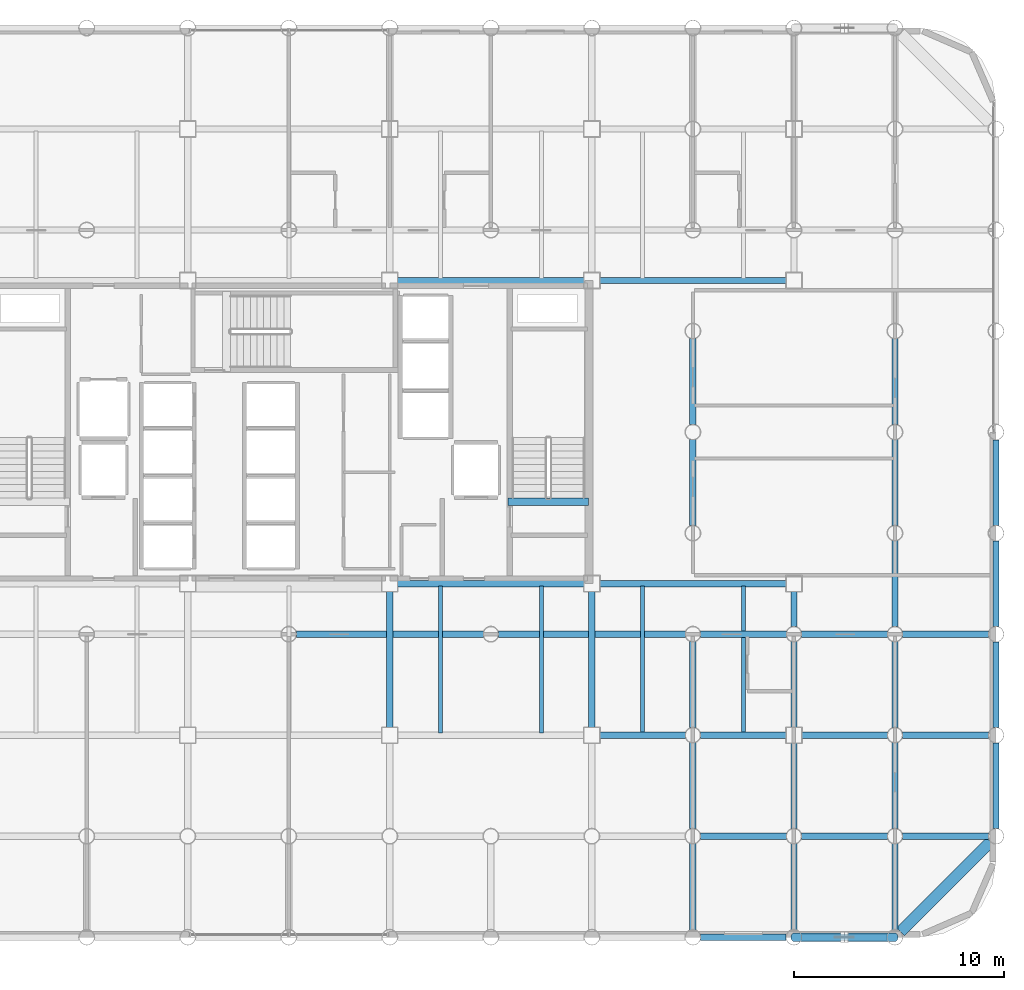
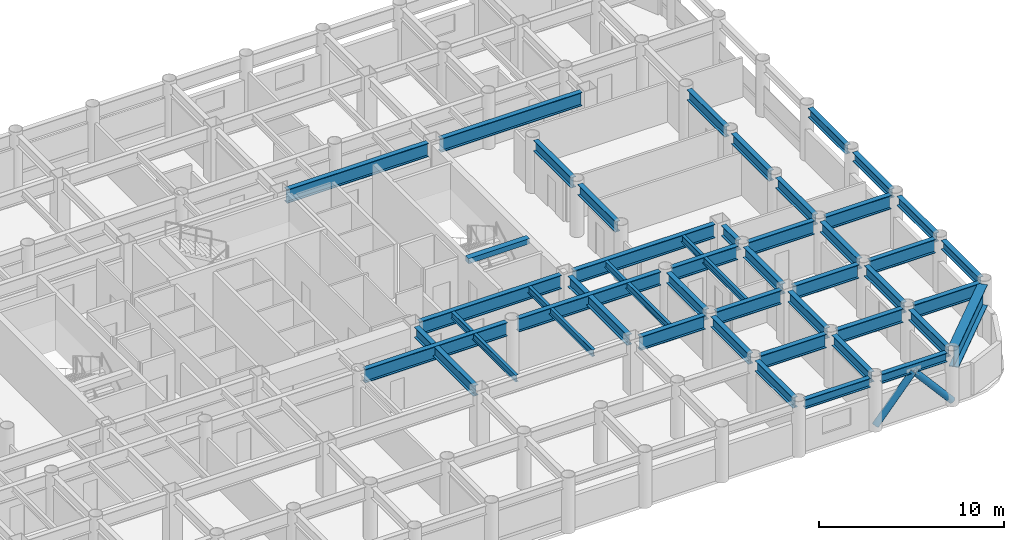
# One storey, part 7 of 19: 45 beams, 2 members.
"""IFC4 building model written with IfcOpenShell, lengths in metres."""

from ifc_helpers import new_model, si_unit, direction, frame, origin, origin_2d, place, context, subcontext, project, spatial, rectangle, hollow_circle, i_section, extrude, material, material_profile, profile_set, type_object, element, save


model = new_model("IFC4")

# Units and contexts
model_context = context("Model", 3, precision=1e-05, world=origin(), true_north=direction((0.0, 1.0)))
body_context = subcontext(model_context, "Body", "Model", "MODEL_VIEW")
ifc_project = project(units=[si_unit("LENGTHUNIT", "METRE"), si_unit("AREAUNIT", "SQUARE_METRE"), si_unit("VOLUMEUNIT", "CUBIC_METRE"), si_unit("PLANEANGLEUNIT", "RADIAN"), si_unit("MASSUNIT", "GRAM", prefix="KILO")], contexts=[model_context])

# Site, building, storey
site_placement = place(None, origin())
site = spatial("IfcSite", under=ifc_project, at=site_placement, CompositionType="ELEMENT")
building_placement = place(site_placement, origin())
building = spatial("IfcBuilding", under=site, at=building_placement, Name="Kallvorn Hotel Tower", CompositionType="ELEMENT")
storey_placement = place(building_placement, frame((0.0, 0.0, 63.300048828125)))
storey = spatial("IfcBuildingStorey", under=building, at=storey_placement, Name="L14", CompositionType="ELEMENT", Elevation=63.300048828125)

# Beams
ifc_material_1 = material(Name="Structural steel S355JR", Category="steel")
ifc_material_profile_1 = material_profile(ifc_material_1, i_section(OverallWidth=0.300048828125, OverallDepth=0.60009765625, WebThickness=0.015380859375, FlangeThickness=0.030029296875, at=origin_2d()), Name="HE 600 B")
ifc_profile_set_1 = profile_set([ifc_material_profile_1], Name="Structural steel S355JR")
beam_type_1 = type_object("IfcBeamType", Name="BM_HE600B", PredefinedType="SPANDREL", material=ifc_profile_set_1)
for number, where, z_axis, x_axis, name in (
    (1, (19.571044921875, -24.0, 3.219970703125), (1.0, 0.0, 0.0), (0.0, 1.0, 0.0), "L15 Perimeter Spandrel 160"),
    (2, (24.37109375, -24.0, 3.219970703125), (1.0, 0.0, 0.0), (0.0, 1.0, 0.0), "L15 Perimeter Spandrel 161"),
):
    element("IfcBeam", number, at=place(storey_placement, frame(where, z_axis=z_axis, x_axis=x_axis)), inside=storey, type_object=beam_type_1, Name=name, PredefinedType="SPANDREL", context=body_context, shape_type="SweptSolid", body=[
        extrude(i_section(OverallWidth=0.300048828125, OverallDepth=0.60009765625, WebThickness=0.015380859375, FlangeThickness=0.030029296875, at=origin_2d()), origin(), (0.0, 0.0, 1.0), 4.057861328125),
    ])
for number, where, z_axis, x_axis, name in (
    (3, (33.60009765625, -18.8291015625, 3.219970703125), (0.0, 1.0, 0.0), (-1.0, 0.0, 0.0), "L15 Perimeter Spandrel 182"),
    (4, (33.60009765625, -14.029052734375, 3.219970703125), (0.0, 1.0, 0.0), (-1.0, 0.0, 0.0), "L15 Perimeter Spandrel 183"),
    (5, (33.60009765625, -9.22900390625, 3.219970703125), (0.0, 1.0, 0.0), (-1.0, 0.0, 0.0), "L15 Perimeter Spandrel 184"),
):
    element("IfcBeam", number, at=place(storey_placement, frame(where, z_axis=z_axis, x_axis=x_axis)), inside=storey, type_object=beam_type_1, Name=name, PredefinedType="SPANDREL", context=body_context, shape_type="SweptSolid", body=[
        extrude(i_section(OverallWidth=0.300048828125, OverallDepth=0.60009765625, WebThickness=0.015380859375, FlangeThickness=0.030029296875, at=origin_2d()), origin(), (0.0, 0.0, 1.0), 4.05810546875),
    ])
beam_1_placement = place(storey_placement, frame((33.60009765625, -4.428955078125, 3.219970703125), z_axis=(0.0, 1.0, 0.0), x_axis=(-1.0, 0.0, 0.0)))
element("IfcBeam", 6, at=beam_1_placement, inside=storey, type_object=beam_type_1, Name="L15 Perimeter Spandrel 185", PredefinedType="SPANDREL", context=body_context, shape_type="SweptSolid", body=[
    extrude(i_section(OverallWidth=0.300048828125, OverallDepth=0.60009765625, WebThickness=0.015380859375, FlangeThickness=0.030029296875, at=origin_2d()), origin(), (0.0, 0.0, 1.0), 4.057861328125),
])
ifc_material_2 = material(Name="Structural steel S355JR", Category="steel")
ifc_material_profile_2 = material_profile(ifc_material_2, i_section(OverallWidth=0.300048828125, OverallDepth=0.699951171875, WebThickness=0.01708984375, FlangeThickness=0.031982421875, at=origin_2d()), Name="HE 700 B")
ifc_profile_set_2 = profile_set([ifc_material_profile_2], Name="Structural steel S355JR")
beam_type_2 = type_object("IfcBeamType", Name="BM_HE700B", PredefinedType="BEAM", material=ifc_profile_set_2)
for number, where, z_axis, x_axis, name in (
    (7, (4.800048828125, -14.02490234375, 3.169921875), (0.0, 1.0, 0.0), (-1.0, 0.0, 0.0), "L15 Primary Y-Girder 115"),
    (8, (14.39990234375, -14.02490234375, 3.169921875), (0.0, 1.0, 0.0), (-1.0, 0.0, 0.0), "L15 Primary Y-Girder 123"),
):
    element("IfcBeam", number, at=place(storey_placement, frame(where, z_axis=z_axis, x_axis=x_axis)), inside=storey, type_object=beam_type_2, Name=name, PredefinedType="BEAM", context=body_context, shape_type="SweptSolid", body=[
        extrude(i_section(OverallWidth=0.300048828125, OverallDepth=0.699951171875, WebThickness=0.01708984375, FlangeThickness=0.031982421875, at=origin_2d()), origin(), (0.0, 0.0, 1.0), 6.449951171875),
    ])
beam_2_placement = place(storey_placement, frame((19.199951171875, -23.64404296875, 3.169921875), z_axis=(0.0, 1.0, 0.0), x_axis=(-1.0, 0.0, 0.0)))
element("IfcBeam", 9, at=beam_2_placement, inside=storey, type_object=beam_type_2, Name="L15 Primary Y-Girder 126", PredefinedType="BEAM", context=body_context, shape_type="SweptSolid", body=[
    extrude(i_section(OverallWidth=0.300048828125, OverallDepth=0.699951171875, WebThickness=0.01708984375, FlangeThickness=0.031982421875, at=origin_2d()), origin(), (0.0, 0.0, 1.0), 4.088134765625),
])
for number, where, z_axis, x_axis, name in (
    (10, (19.199951171875, -18.843994140625, 3.169921875), (0.0, 1.0, 0.0), (-1.0, 0.0, 0.0), "L15 Primary Y-Girder 127"),
    (11, (19.199951171875, -14.0439453125, 3.169921875), (0.0, 1.0, 0.0), (-1.0, 0.0, 0.0), "L15 Primary Y-Girder 128"),
):
    element("IfcBeam", number, at=place(storey_placement, frame(where, z_axis=z_axis, x_axis=x_axis)), inside=storey, type_object=beam_type_2, Name=name, PredefinedType="BEAM", context=body_context, shape_type="SweptSolid", body=[
        extrude(i_section(OverallWidth=0.300048828125, OverallDepth=0.699951171875, WebThickness=0.01708984375, FlangeThickness=0.031982421875, at=origin_2d()), origin(), (0.0, 0.0, 1.0), 4.087890625),
    ])
for number, where, z_axis, x_axis, name in (
    (12, (19.199951171875, -4.444091796875, 3.169921875), (0.0, 1.0, 0.0), (-1.0, 0.0, 0.0), "L15 Primary Y-Girder 130"),
    (13, (19.199951171875, 0.35595703125, 3.169921875), (0.0, 1.0, 0.0), (-1.0, 0.0, 0.0), "L15 Primary Y-Girder 131"),
    (14, (24.0, -23.64404296875, 3.169921875), (0.0, 1.0, 0.0), (-1.0, 0.0, 0.0), "L15 Primary Y-Girder 135"),
):
    element("IfcBeam", number, at=place(storey_placement, frame(where, z_axis=z_axis, x_axis=x_axis)), inside=storey, type_object=beam_type_2, Name=name, PredefinedType="BEAM", context=body_context, shape_type="SweptSolid", body=[
        extrude(i_section(OverallWidth=0.300048828125, OverallDepth=0.699951171875, WebThickness=0.01708984375, FlangeThickness=0.031982421875, at=origin_2d()), origin(), (0.0, 0.0, 1.0), 4.088134765625),
    ])
beam_3_placement = place(storey_placement, frame((24.0, -18.843994140625, 3.169921875), z_axis=(0.0, 1.0, 0.0), x_axis=(-1.0, 0.0, 0.0)))
element("IfcBeam", 15, at=beam_3_placement, inside=storey, type_object=beam_type_2, Name="L15 Primary Y-Girder 136", PredefinedType="BEAM", context=body_context, shape_type="SweptSolid", body=[
    extrude(i_section(OverallWidth=0.300048828125, OverallDepth=0.699951171875, WebThickness=0.01708984375, FlangeThickness=0.031982421875, at=origin_2d()), origin(), (0.0, 0.0, 1.0), 4.069091796875),
])
beam_4_placement = place(storey_placement, frame((24.0, -14.02490234375, 3.169921875), z_axis=(0.0, 1.0, 0.0), x_axis=(-1.0, 0.0, 0.0)))
element("IfcBeam", 16, at=beam_4_placement, inside=storey, type_object=beam_type_2, Name="L15 Primary Y-Girder 137", PredefinedType="BEAM", context=body_context, shape_type="SweptSolid", body=[
    extrude(i_section(OverallWidth=0.300048828125, OverallDepth=0.699951171875, WebThickness=0.01708984375, FlangeThickness=0.031982421875, at=origin_2d()), origin(), (0.0, 0.0, 1.0), 4.06884765625),
])
beam_5_placement = place(storey_placement, frame((24.0, -9.243896484375, 3.169921875), z_axis=(0.0, 1.0, 0.0), x_axis=(-1.0, 0.0, 0.0)))
element("IfcBeam", 17, at=beam_5_placement, inside=storey, type_object=beam_type_2, Name="L15 Primary Y-Girder 138", PredefinedType="BEAM", context=body_context, shape_type="SweptSolid", body=[
    extrude(i_section(OverallWidth=0.300048828125, OverallDepth=0.699951171875, WebThickness=0.01708984375, FlangeThickness=0.031982421875, at=origin_2d()), origin(), (0.0, 0.0, 1.0), 1.6689453125),
])
beam_6_placement = place(storey_placement, frame((28.800048828125, -23.64404296875, 3.169921875), z_axis=(0.0, 1.0, 0.0), x_axis=(-1.0, 0.0, 0.0)))
element("IfcBeam", 18, at=beam_6_placement, inside=storey, type_object=beam_type_2, Name="L15 Primary Y-Girder 142", PredefinedType="BEAM", context=body_context, shape_type="SweptSolid", body=[
    extrude(i_section(OverallWidth=0.300048828125, OverallDepth=0.699951171875, WebThickness=0.01708984375, FlangeThickness=0.031982421875, at=origin_2d()), origin(), (0.0, 0.0, 1.0), 4.088134765625),
])
for number, where, z_axis, x_axis, name in (
    (19, (28.800048828125, -18.843994140625, 3.169921875), (0.0, 1.0, 0.0), (-1.0, 0.0, 0.0), "L15 Primary Y-Girder 143"),
    (20, (28.800048828125, -14.0439453125, 3.169921875), (0.0, 1.0, 0.0), (-1.0, 0.0, 0.0), "L15 Primary Y-Girder 144"),
    (21, (28.800048828125, -9.243896484375, 3.169921875), (0.0, 1.0, 0.0), (-1.0, 0.0, 0.0), "L15 Primary Y-Girder 145"),
):
    element("IfcBeam", number, at=place(storey_placement, frame(where, z_axis=z_axis, x_axis=x_axis)), inside=storey, type_object=beam_type_2, Name=name, PredefinedType="BEAM", context=body_context, shape_type="SweptSolid", body=[
        extrude(i_section(OverallWidth=0.300048828125, OverallDepth=0.699951171875, WebThickness=0.01708984375, FlangeThickness=0.031982421875, at=origin_2d()), origin(), (0.0, 0.0, 1.0), 4.087890625),
    ])
for number, where, z_axis, x_axis, name in (
    (22, (28.800048828125, -4.444091796875, 3.169921875), (0.0, 1.0, 0.0), (-1.0, 0.0, 0.0), "L15 Primary Y-Girder 146"),
    (23, (28.800048828125, 0.35595703125, 3.169921875), (0.0, 1.0, 0.0), (-1.0, 0.0, 0.0), "L15 Primary Y-Girder 147"),
):
    element("IfcBeam", number, at=place(storey_placement, frame(where, z_axis=z_axis, x_axis=x_axis)), inside=storey, type_object=beam_type_2, Name=name, PredefinedType="BEAM", context=body_context, shape_type="SweptSolid", body=[
        extrude(i_section(OverallWidth=0.300048828125, OverallDepth=0.699951171875, WebThickness=0.01708984375, FlangeThickness=0.031982421875, at=origin_2d()), origin(), (0.0, 0.0, 1.0), 4.088134765625),
    ])
ifc_material_3 = material(Name="Structural steel S355JR", Category="steel")
ifc_material_profile_3 = material_profile(ifc_material_3, i_section(OverallWidth=0.300048828125, OverallDepth=0.89990234375, WebThickness=0.0185546875, FlangeThickness=0.034912109375, at=origin_2d()), Name="HE 900 B")
ifc_profile_set_3 = profile_set([ifc_material_profile_3], Name="Structural steel S355JR")
beam_type_3 = type_object("IfcBeamType", Name="BM_HE900B", PredefinedType="BEAM", material=ifc_profile_set_3)
for number, where, z_axis, x_axis, name in (
    (24, (19.555908203125, -19.199951171875, 3.070068359375), (1.0, 0.0, 0.0), (0.0, 1.0, 0.0), "L15 Primary X-Girder 11"),
    (25, (24.35595703125, -19.199951171875, 3.070068359375), (1.0, 0.0, 0.0), (0.0, 1.0, 0.0), "L15 Primary X-Girder 12"),
):
    element("IfcBeam", number, at=place(storey_placement, frame(where, z_axis=z_axis, x_axis=x_axis)), inside=storey, type_object=beam_type_3, Name=name, PredefinedType="BEAM", context=body_context, shape_type="SweptSolid", body=[
        extrude(i_section(OverallWidth=0.300048828125, OverallDepth=0.89990234375, WebThickness=0.0185546875, FlangeThickness=0.034912109375, at=origin_2d()), origin(), (0.0, 0.0, 1.0), 4.088134765625),
    ])
beam_7_placement = place(storey_placement, frame((29.156005859375, -19.199951171875, 3.070068359375), z_axis=(1.0, 0.0, 0.0), x_axis=(0.0, 1.0, 0.0)))
element("IfcBeam", 26, at=beam_7_placement, inside=storey, type_object=beam_type_3, Name="L15 Primary X-Girder 13", PredefinedType="BEAM", context=body_context, shape_type="SweptSolid", body=[
    extrude(i_section(OverallWidth=0.300048828125, OverallDepth=0.89990234375, WebThickness=0.0185546875, FlangeThickness=0.034912109375, at=origin_2d()), origin(), (0.0, 0.0, 1.0), 4.087890625),
])
for number, where, z_axis, x_axis, name in (
    (27, (14.77490234375, -14.39990234375, 3.070068359375), (1.0, 0.0, 0.0), (0.0, 1.0, 0.0), "L15 Primary X-Girder 20"),
    (28, (19.555908203125, -14.39990234375, 3.070068359375), (1.0, 0.0, 0.0), (0.0, 1.0, 0.0), "L15 Primary X-Girder 21"),
    (29, (24.375, -14.39990234375, 3.070068359375), (1.0, 0.0, 0.0), (0.0, 1.0, 0.0), "L15 Primary X-Girder 22"),
):
    element("IfcBeam", number, at=place(storey_placement, frame(where, z_axis=z_axis, x_axis=x_axis)), inside=storey, type_object=beam_type_3, Name=name, PredefinedType="BEAM", context=body_context, shape_type="SweptSolid", body=[
        extrude(i_section(OverallWidth=0.300048828125, OverallDepth=0.89990234375, WebThickness=0.0185546875, FlangeThickness=0.034912109375, at=origin_2d()), origin(), (0.0, 0.0, 1.0), 4.069091796875),
    ])
beam_8_placement = place(storey_placement, frame((29.156005859375, -14.39990234375, 3.070068359375), z_axis=(1.0, 0.0, 0.0), x_axis=(0.0, 1.0, 0.0)))
element("IfcBeam", 30, at=beam_8_placement, inside=storey, type_object=beam_type_3, Name="L15 Primary X-Girder 23", PredefinedType="BEAM", context=body_context, shape_type="SweptSolid", body=[
    extrude(i_section(OverallWidth=0.300048828125, OverallDepth=0.89990234375, WebThickness=0.0185546875, FlangeThickness=0.034912109375, at=origin_2d()), origin(), (0.0, 0.0, 1.0), 4.087890625),
])
for number, where, z_axis, x_axis, name in (
    (31, (0.35595703125, -9.60009765625, 3.070068359375), (1.0, 0.0, 0.0), (0.0, 1.0, 0.0), "L15 Primary X-Girder 28"),
    (32, (9.9560546875, -9.60009765625, 3.070068359375), (1.0, 0.0, 0.0), (0.0, 1.0, 0.0), "L15 Primary X-Girder 29"),
):
    element("IfcBeam", number, at=place(storey_placement, frame(where, z_axis=z_axis, x_axis=x_axis)), inside=storey, type_object=beam_type_3, Name=name, PredefinedType="BEAM", context=body_context, shape_type="SweptSolid", body=[
        extrude(i_section(OverallWidth=0.300048828125, OverallDepth=0.89990234375, WebThickness=0.0185546875, FlangeThickness=0.034912109375, at=origin_2d()), origin(), (0.0, 0.0, 1.0), 8.887939453125),
    ])
for number, where, z_axis, x_axis, name in (
    (33, (19.555908203125, -9.60009765625, 3.070068359375), (1.0, 0.0, 0.0), (0.0, 1.0, 0.0), "L15 Primary X-Girder 30"),
    (34, (24.35595703125, -9.60009765625, 3.070068359375), (1.0, 0.0, 0.0), (0.0, 1.0, 0.0), "L15 Primary X-Girder 31"),
):
    element("IfcBeam", number, at=place(storey_placement, frame(where, z_axis=z_axis, x_axis=x_axis)), inside=storey, type_object=beam_type_3, Name=name, PredefinedType="BEAM", context=body_context, shape_type="SweptSolid", body=[
        extrude(i_section(OverallWidth=0.300048828125, OverallDepth=0.89990234375, WebThickness=0.0185546875, FlangeThickness=0.034912109375, at=origin_2d()), origin(), (0.0, 0.0, 1.0), 4.088134765625),
    ])
beam_9_placement = place(storey_placement, frame((29.156005859375, -9.60009765625, 3.070068359375), z_axis=(1.0, 0.0, 0.0), x_axis=(0.0, 1.0, 0.0)))
element("IfcBeam", 35, at=beam_9_placement, inside=storey, type_object=beam_type_3, Name="L15 Primary X-Girder 32", PredefinedType="BEAM", context=body_context, shape_type="SweptSolid", body=[
    extrude(i_section(OverallWidth=0.300048828125, OverallDepth=0.89990234375, WebThickness=0.0185546875, FlangeThickness=0.034912109375, at=origin_2d()), origin(), (0.0, 0.0, 1.0), 4.087890625),
])
beam_10_placement = place(storey_placement, frame((5.175048828125, -7.199951171875, 3.070068359375), z_axis=(1.0, 0.0, 0.0), x_axis=(0.0, 1.0, 0.0)))
element("IfcBeam", 36, at=beam_10_placement, inside=storey, type_object=beam_type_3, Name="L15 Primary X-Girder 35", PredefinedType="BEAM", context=body_context, shape_type="SweptSolid", body=[
    extrude(i_section(OverallWidth=0.300048828125, OverallDepth=0.89990234375, WebThickness=0.0185546875, FlangeThickness=0.034912109375, at=origin_2d()), origin(), (0.0, 0.0, 1.0), 8.849853515625),
])
beam_11_placement = place(storey_placement, frame((14.77490234375, -7.199951171875, 3.070068359375), z_axis=(1.0, 0.0, 0.0), x_axis=(0.0, 1.0, 0.0)))
element("IfcBeam", 37, at=beam_11_placement, inside=storey, type_object=beam_type_3, Name="L15 Primary X-Girder 36", PredefinedType="BEAM", context=body_context, shape_type="SweptSolid", body=[
    extrude(i_section(OverallWidth=0.300048828125, OverallDepth=0.89990234375, WebThickness=0.0185546875, FlangeThickness=0.034912109375, at=origin_2d()), origin(), (0.0, 0.0, 1.0), 8.85009765625),
])
beam_12_placement = place(storey_placement, frame((5.175048828125, 7.199951171875, 3.070068359375), z_axis=(1.0, 0.0, 0.0), x_axis=(0.0, 1.0, 0.0)))
element("IfcBeam", 38, at=beam_12_placement, inside=storey, type_object=beam_type_3, Name="L15 Primary X-Girder 40", PredefinedType="BEAM", context=body_context, shape_type="SweptSolid", body=[
    extrude(i_section(OverallWidth=0.300048828125, OverallDepth=0.89990234375, WebThickness=0.0185546875, FlangeThickness=0.034912109375, at=origin_2d()), origin(), (0.0, 0.0, 1.0), 8.849853515625),
])
beam_13_placement = place(storey_placement, frame((14.77490234375, 7.199951171875, 3.070068359375), z_axis=(1.0, 0.0, 0.0), x_axis=(0.0, 1.0, 0.0)))
element("IfcBeam", 39, at=beam_13_placement, inside=storey, type_object=beam_type_3, Name="L15 Primary X-Girder 41", PredefinedType="BEAM", context=body_context, shape_type="SweptSolid", body=[
    extrude(i_section(OverallWidth=0.300048828125, OverallDepth=0.89990234375, WebThickness=0.0185546875, FlangeThickness=0.034912109375, at=origin_2d()), origin(), (0.0, 0.0, 1.0), 8.85009765625),
])
ifc_material_4 = material(Name="Structural steel S355JR", Category="steel")
ifc_material_profile_4 = material_profile(ifc_material_4, i_section(OverallWidth=0.18994140625, OverallDepth=0.449951171875, WebThickness=0.009521484375, FlangeThickness=0.0146484375, at=origin_2d()), Name="IPE 450")
ifc_profile_set_4 = profile_set([ifc_material_profile_4], Name="Structural steel S355JR")
beam_type_4 = type_object("IfcBeamType", Name="BM_IPE450", PredefinedType="JOIST", material=ifc_profile_set_4)
for number, where, z_axis, x_axis, name in (
    (40, (7.199951171875, -14.300048828125, 3.294921875), (0.0, 1.0, 0.0), (-1.0, 0.0, 0.0), "L15 Secondary Composite Joist 202"),
    (41, (12.0, -14.300048828125, 3.294921875), (0.0, 1.0, 0.0), (-1.0, 0.0, 0.0), "L15 Secondary Composite Joist 204"),
    (42, (16.800048828125, -14.300048828125, 3.294921875), (0.0, 1.0, 0.0), (-1.0, 0.0, 0.0), "L15 Secondary Composite Joist 206"),
    (43, (21.60009765625, -14.300048828125, 3.294921875), (0.0, 1.0, 0.0), (-1.0, 0.0, 0.0), "L15 Secondary Composite Joist 208"),
):
    element("IfcBeam", number, at=place(storey_placement, frame(where, z_axis=z_axis, x_axis=x_axis)), inside=storey, type_object=beam_type_4, Name=name, PredefinedType="JOIST", context=body_context, shape_type="SweptSolid", body=[
        extrude(i_section(OverallWidth=0.18994140625, OverallDepth=0.449951171875, WebThickness=0.009521484375, FlangeThickness=0.0146484375, at=origin_2d()), origin(), (0.0, 0.0, 1.0), 7.0),
    ])
ifc_material_5 = material(Name="Structural steel S355JR", Category="steel")
ifc_material_profile_5 = material_profile(ifc_material_5, i_section(OverallWidth=0.550048828125, OverallDepth=1.39990234375, WebThickness=0.02490234375, FlangeThickness=0.044921875, at=origin_2d()), Name="PG 1400x550x25x45")
ifc_profile_set_5 = profile_set([ifc_material_profile_5], Name="Structural steel S355JR")
beam_type_5 = type_object("IfcBeamType", Name="BM_PG_1400", PredefinedType="BEAM", material=ifc_profile_set_5)
beam_14_placement = place(storey_placement, frame((33.337646484375, -19.46240234375, 2.820068359375), z_axis=(-0.707106781187, -0.707106781187, 0.0), x_axis=(0.707106781187, -0.707106781187, 0.0)))
element("IfcBeam", 44, at=beam_14_placement, inside=storey, type_object=beam_type_5, Name="L15 Rounded Corner Tie Beam 190", PredefinedType="BEAM", context=body_context, shape_type="SweptSolid", body=[
    extrude(i_section(OverallWidth=0.550048828125, OverallDepth=1.39990234375, WebThickness=0.02490234375, FlangeThickness=0.044921875, at=origin_2d()), origin(), (0.0, 0.0, 1.0), 6.04638671875),
])
ifc_material_6 = material(Name="Concrete C50/60", Category="concrete")
ifc_material_profile_6 = material_profile(ifc_material_6, rectangle(XDim=0.360107421875, YDim=0.340087890625, at=origin_2d()), Name="RC 360x340")
ifc_profile_set_6 = profile_set([ifc_material_profile_6], Name="Concrete C50/60")
beam_type_6 = type_object("IfcBeamType", Name="BM_RC_400x360", PredefinedType="BEAM", material=ifc_profile_set_6)
beam_15_placement = place(storey_placement, frame((14.239990234375, -3.31005859375, 3.349853515625), z_axis=(-1.0, 0.0, 0.0), x_axis=(0.0, -1.0, 0.0)))
element("IfcBeam", 45, at=beam_15_placement, inside=storey, type_object=beam_type_6, Name="L15 Stair ST2 Arrival Trimmer Beam", PredefinedType="BEAM", context=body_context, shape_type="SweptSolid", body=[
    extrude(rectangle(XDim=0.360107421875, YDim=0.340087890625, at=origin_2d()), origin(), (0.0, 0.0, 1.0), 3.820068359375),
])

# Members
ifc_material_7 = material(Name="Structural steel S355J2H", Category="steel")
ifc_material_profile_7 = material_profile(ifc_material_7, hollow_circle(Radius=0.203125, WallThickness=0.01611328125, at=origin_2d()), Name="CHS 406.4x16")
ifc_profile_set_7 = profile_set([ifc_material_profile_7], Name="Structural steel S355J2H")
member_type = type_object("IfcMemberType", Name="MBR_EXO_CHS406", PredefinedType="BRACE", material=ifc_profile_set_7)
for number, where, z_axis, x_axis, name in (
    (46, (24.01318359375, -24.0, 0.195068359375), (0.65346062529, 0.0, 0.756960508346), (0.0, 1.0, 0.0), "L14 Exoskeleton K-Brace S2A"),
    (47, (28.786865234375, -24.0, 0.195068359375), (-0.65346062529, 0.0, 0.756960508346), (0.0, -1.0, 0.0), "L14 Exoskeleton K-Brace S2B"),
):
    element("IfcMember", number, at=place(storey_placement, frame(where, z_axis=z_axis, x_axis=x_axis)), inside=storey, type_object=member_type, Name=name, PredefinedType="BRACE", context=body_context, shape_type="SweptSolid", body=[
        extrude(hollow_circle(Radius=0.203125, WallThickness=0.01611328125, at=origin_2d()), origin(), (0.0, 0.0, 1.0), 3.632568359375),
    ])

save(model, "model.ifc")
